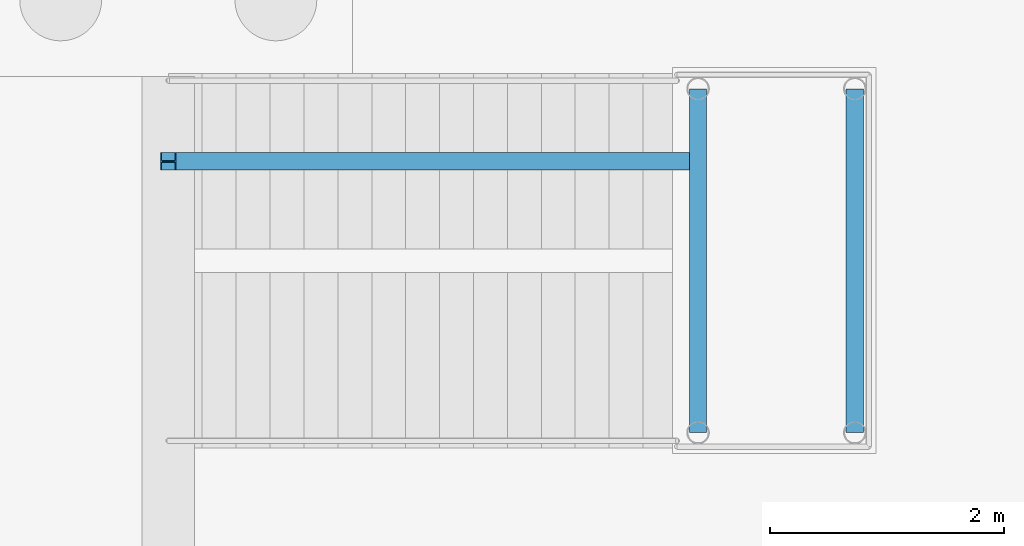
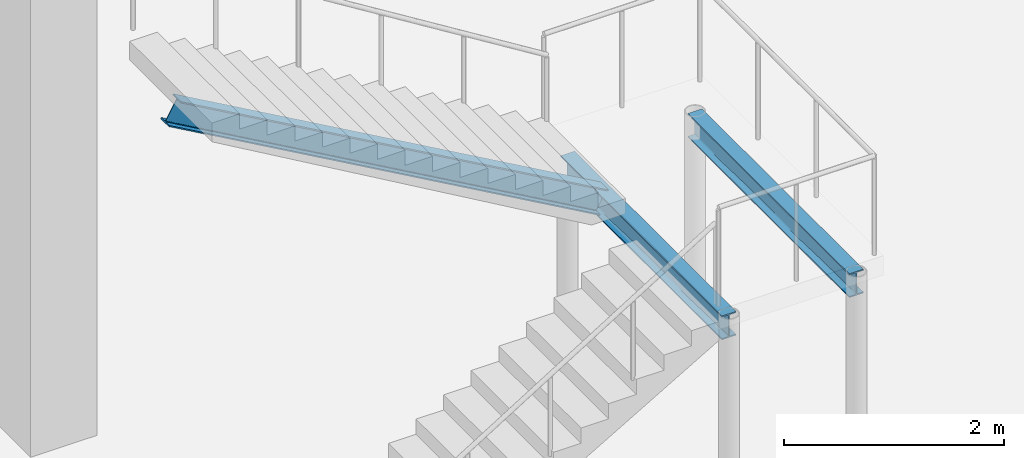
# One storey, part 63 of 109: 3 beams.
"""IFC4 building model written with IfcOpenShell, lengths in metres."""

from ifc_helpers import new_model, si_unit, direction, frame, origin, origin_2d, place, context, subcontext, project, spatial, i_section, extrude, material, material_profile, profile_set, type_object, element, save


model = new_model("IFC4")

# Units and contexts
model_context = context("Model", 3, precision=1e-05, world=origin(), true_north=direction((0.0, 1.0)))
body_context = subcontext(model_context, "Body", "Model", "MODEL_VIEW")
ifc_project = project(units=[si_unit("LENGTHUNIT", "METRE"), si_unit("AREAUNIT", "SQUARE_METRE"), si_unit("VOLUMEUNIT", "CUBIC_METRE"), si_unit("PLANEANGLEUNIT", "RADIAN"), si_unit("MASSUNIT", "GRAM", prefix="KILO")], contexts=[model_context])

# Site, building, storey
site_placement = place(None, origin())
site = spatial("IfcSite", under=ifc_project, at=site_placement, CompositionType="ELEMENT")
building_placement = place(site_placement, origin())
building = spatial("IfcBuilding", under=site, at=building_placement, Name="Lusvemor Sports Hall", CompositionType="ELEMENT")
storey_placement = place(building_placement, origin())
storey = spatial("IfcBuildingStorey", under=building, at=storey_placement, Name="L00", CompositionType="ELEMENT", Elevation=0.0)

# Beams
ifc_material = material(Name="Steel S355", Category="steel")
ifc_material_profile = material_profile(ifc_material, i_section(OverallWidth=0.14794921875, OverallDepth=0.26611328125, WebThickness=0.007568359375, FlangeThickness=0.012939453125, FilletRadius=0.012939453125, at=origin_2d()), Name="W250x44.8")
ifc_profile_set = profile_set([ifc_material_profile], Name="Steel S355")
beam_type = type_object("IfcBeamType", Name="JOIST_ST_250M", PredefinedType="JOIST", material=ifc_profile_set)
for number, where, z_axis, x_axis, name in (
    (1, (144.929931640625, 49.3798828125, 2.344970703125), (0.0, 1.0, 0.0), (-1.0, 0.0, 0.0), "STR-CLIMB-GAL Mid Landing Beam"),
    (2, (146.27001953125, 49.3798828125, 2.344970703125), (0.0, 1.0, 0.0), (-1.0, 0.0, 0.0), "STR-CLIMB-GAL Far Landing Beam"),
):
    element("IfcBeam", number, at=place(storey_placement, frame(where, z_axis=z_axis, x_axis=x_axis)), inside=storey, type_object=beam_type, Name=name, PredefinedType="JOIST", context=body_context, shape_type="SweptSolid", body=[
        extrude(i_section(OverallWidth=0.14794921875, OverallDepth=0.26611328125, WebThickness=0.007568359375, FlangeThickness=0.012939453125, FilletRadius=0.012939453125, at=origin_2d()), origin(), (0.0, 0.0, 1.0), 2.940185546875),
    ])
beam_placement = place(storey_placement, frame((144.929931640625, 51.699951171875, 2.344970703125), z_axis=(-0.869368269968, 0.0, 0.494164761161), x_axis=(0.0, -1.0, 0.0)))
element("IfcBeam", 3, at=beam_placement, inside=storey, type_object=beam_type, Name="STR-CLIMB-GAL Flight 2 Stringer", PredefinedType="JOIST", context=body_context, shape_type="SweptSolid", body=[
    extrude(i_section(OverallWidth=0.14794921875, OverallDepth=0.26611328125, WebThickness=0.007568359375, FlangeThickness=0.012939453125, FilletRadius=0.012939453125, at=origin_2d()), origin(), (0.0, 0.0, 1.0), 5.210693359375),
])

save(model, "model.ifc")
